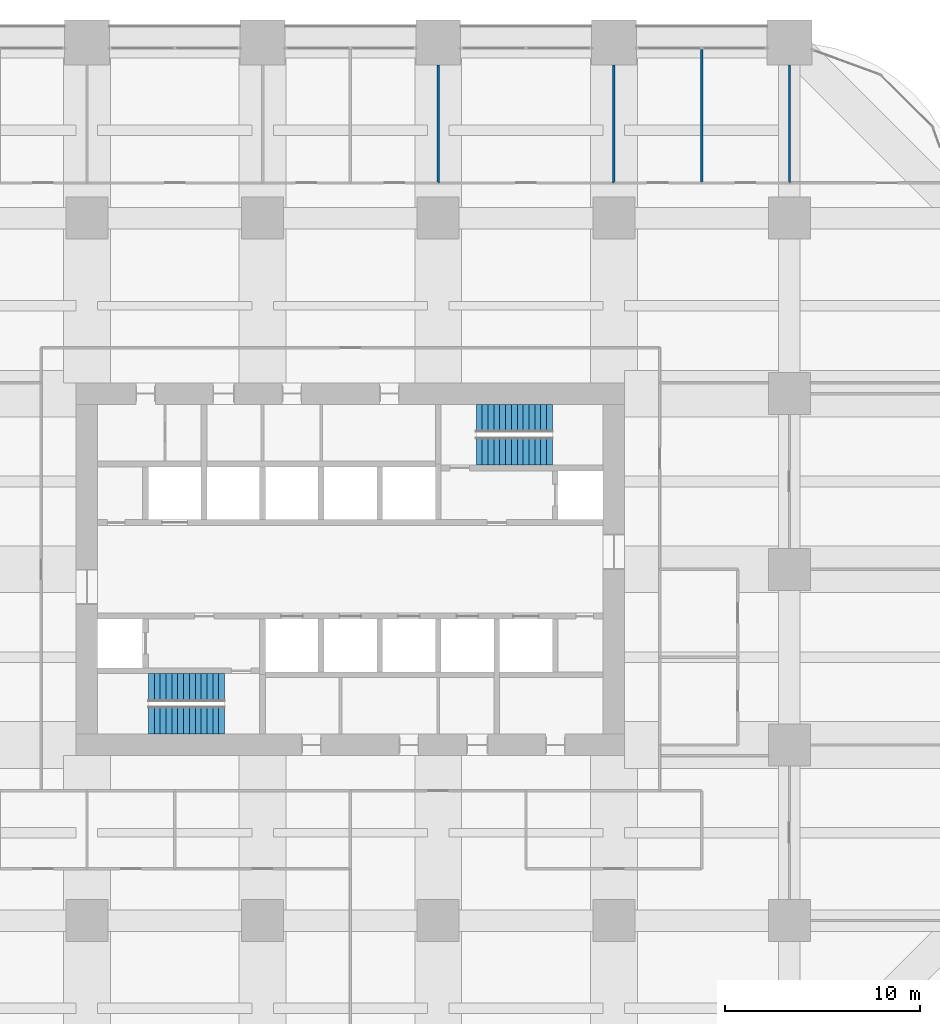
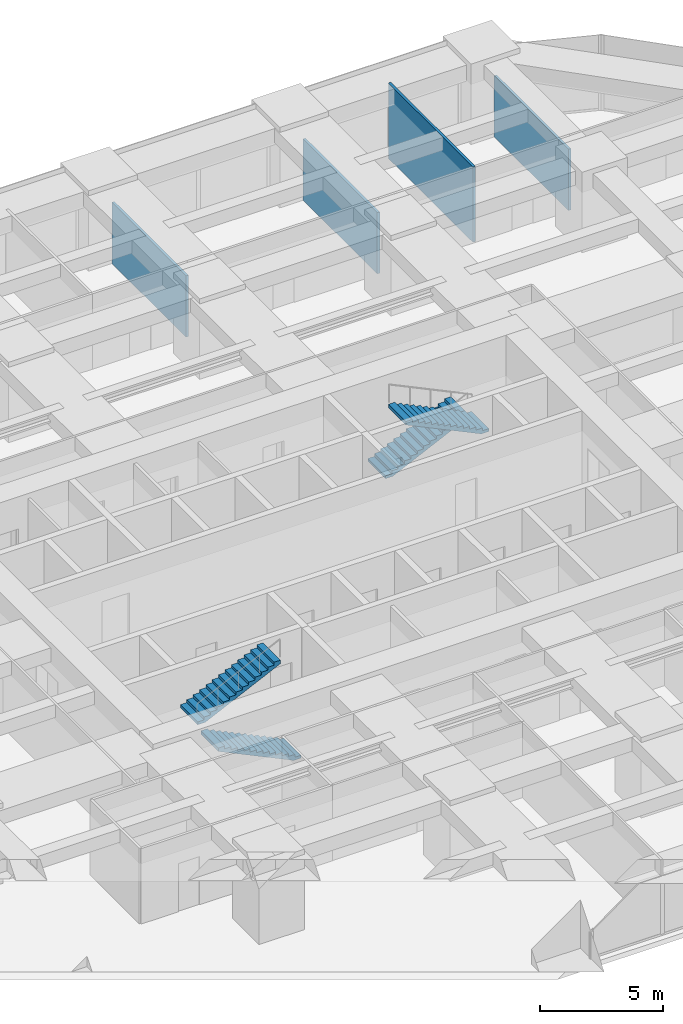
# One storey, part 42 of 43: 4 stair flights, 4 walls, 2 elements without a shape of their own.
"""IFC4 building model written with IfcOpenShell, lengths in metres."""

import ifcopenshell
import ifcopenshell.guid

model = None  # the IFC model being written
_history = None  # IfcOwnerHistory: only IFC2X3 demands one
_inside = {}  # id of a spatial element -> (the spatial element, [elements in it])
_under = {}  # id of a project, library or spatial element -> (it, [spatial elements below it])
_declared = {}  # id of a project -> (the project, [libraries it declares])
_typed = {}  # id of a type object -> (the type object, [elements of that type])
_made_of = {}  # id of a material, layer set ... -> (it, [elements and type objects made of it])


def new_model(schema):
    """Start an empty IFC model of exactly this schema.

    Asked for "IFC4X3", IfcOpenShell would pick the latest addendum, in which some entities
    have other attributes; the version numbers below select the first issue.
    IFC2X3 requires an IfcOwnerHistory on every rooted entity: one is made here for all.
    """
    global model, _history
    if schema == "IFC4X3":
        model = ifcopenshell.file(schema_version=(4, 3, 0, 0))
    else:
        model = ifcopenshell.file(schema=schema)
    _inside.clear()
    _under.clear()
    _declared.clear()
    _typed.clear()
    _made_of.clear()
    _history = None
    if model.schema == "IFC2X3":
        org = make("IfcOrganization", Name="unknown")
        user = make(
            "IfcPersonAndOrganization",
            ThePerson=make("IfcPerson", FamilyName="unknown"),
            TheOrganization=org,
        )
        app = make(
            "IfcApplication",
            ApplicationDeveloper=org,
            Version="unknown",
            ApplicationFullName="unknown",
            ApplicationIdentifier="unknown",
        )
        _history = make(
            "IfcOwnerHistory",
            OwningUser=user,
            OwningApplication=app,
            ChangeAction="ADDED",
            CreationDate=0,
        )
    return model


def make(cls, **values):
    """One entity of the class cls with the attributes given. An attribute that is None is left unset."""
    return model.create_entity(
        cls, **{name: value for name, value in values.items() if value is not None}
    )


def rooted(cls, **values):
    """An entity with a GlobalId (a new one), such as an element, a storey or a relation."""
    return make(cls, GlobalId=ifcopenshell.guid.new(), OwnerHistory=_history, **values)


def si_unit(unit_type, name, prefix=None):
    """IfcSIUnit, for example si_unit("LENGTHUNIT", "METRE", prefix="MILLI")."""
    return make("IfcSIUnit", UnitType=unit_type, Prefix=prefix, Name=name)


def assignment(units):
    """IfcUnitAssignment: the units of a project."""
    return None if units is None else make("IfcUnitAssignment", Units=units)


def point(xyz):
    """IfcCartesianPoint."""
    return None if xyz is None else make("IfcCartesianPoint", Coordinates=xyz)


def direction(xyz):
    """IfcDirection."""
    return None if xyz is None else make("IfcDirection", DirectionRatios=xyz)


def frame(location, z_axis=None, x_axis=None):
    """IfcAxis2Placement3D, a coordinate frame: its origin and axes. An axis left out is left unset."""
    return make(
        "IfcAxis2Placement3D",
        Location=point(location),
        Axis=direction(z_axis),
        RefDirection=direction(x_axis),
    )


def frame_2d(location, x_axis=None):
    """IfcAxis2Placement2D, a coordinate frame in the plane: its origin and x axis."""
    return make(
        "IfcAxis2Placement2D", Location=point(location), RefDirection=direction(x_axis)
    )


def origin():
    """The frame at (0, 0, 0) with its axes left unset."""
    return frame((0.0, 0.0, 0.0))


def place(relative_to, where):
    """IfcLocalPlacement: puts the frame where relative to a parent placement (None: the world)."""
    return make(
        "IfcLocalPlacement", PlacementRelTo=relative_to, RelativePlacement=where
    )


def context(
    kind, dimensions, precision=None, world=None, true_north=None, identifier=None
):
    """IfcGeometricRepresentationContext, for example the 3D "Model" context."""
    return make(
        "IfcGeometricRepresentationContext",
        ContextIdentifier=identifier,
        ContextType=kind,
        CoordinateSpaceDimension=dimensions,
        Precision=precision,
        WorldCoordinateSystem=world,
        TrueNorth=true_north,
    )


def subcontext(parent, identifier, kind, view, scale=None):
    """IfcGeometricRepresentationSubContext, for example "Body" below "Model"."""
    return make(
        "IfcGeometricRepresentationSubContext",
        ContextIdentifier=identifier,
        ContextType=kind,
        ParentContext=parent,
        TargetScale=scale,
        TargetView=view,
    )


def project(units=None, contexts=None):
    """IfcProject with its units and contexts."""
    return rooted(
        "IfcProject",
        Name="project",
        RepresentationContexts=contexts,
        UnitsInContext=assignment(units),
    )


def spatial(cls, under=None, at=None, **own):
    """A site, building, storey or space (cls), placed at a placement, below another one or the project."""
    s = rooted(cls, ObjectPlacement=at, **own)
    if under is not None:
        _under.setdefault(under.id(), (under, []))[1].append(s)
    return s


def polyline(points):
    """IfcPolyline through the points."""
    return make("IfcPolyline", Points=[point(p) for p in points])


def profile(cls, at=None, kind="AREA", **sizes):
    """A parametric profile (cls). Its sizes go by their IFC names, for example OverallWidth=200.0."""
    return make(cls, ProfileType=kind, Position=at, **sizes)


def rectangle(**sizes):
    """IfcRectangleProfileDef."""
    return profile("IfcRectangleProfileDef", **sizes)


def outline(outer, holes=None, kind="AREA"):
    """IfcArbitraryClosedProfileDef: a profile drawn as a closed curve; with holes, ...WithVoids."""
    if holes is None:
        return make("IfcArbitraryClosedProfileDef", ProfileType=kind, OuterCurve=outer)
    return make(
        "IfcArbitraryProfileDefWithVoids",
        ProfileType=kind,
        OuterCurve=outer,
        InnerCurves=holes,
    )


def extrude(swept, where, along, depth):
    """IfcExtrudedAreaSolid: the profile swept, set in the frame where, extruded along a direction by depth."""
    return make(
        "IfcExtrudedAreaSolid",
        SweptArea=swept,
        Position=where,
        ExtrudedDirection=direction(along),
        Depth=depth,
    )


def shape(context_of_items, identifier, shape_type, items):
    """IfcShapeRepresentation: the items that make up one representation, for example the "Body"."""
    return make(
        "IfcShapeRepresentation",
        ContextOfItems=context_of_items,
        RepresentationIdentifier=identifier,
        RepresentationType=shape_type,
        Items=items,
    )


def material(Name=None, Category=None):
    """IfcMaterial."""
    return make("IfcMaterial", Name=Name, Category=Category)


def layer(
    of_material, thickness, ventilated=None, Name=None, Category=None, Priority=None
):
    """IfcMaterialLayer: one layer of a wall or slab, of a material (None: an air gap)."""
    return make(
        "IfcMaterialLayer",
        Material=of_material,
        LayerThickness=thickness,
        IsVentilated=ventilated,
        Name=Name,
        Category=Category,
        Priority=Priority,
    )


def layer_set(layers, Name=None):
    """IfcMaterialLayerSet."""
    return make("IfcMaterialLayerSet", MaterialLayers=layers, LayerSetName=Name)


def made_of(thing, what):
    """Note that an element or type object is made of a material, layer set ...; save() writes the relation."""
    if what is not None:
        _made_of.setdefault(what.id(), (what, []))[1].append(thing)
    return thing


def type_object(cls, material=None, **own):
    """A type object (cls), such as IfcWallType, which elements share."""
    return made_of(rooted(cls, **own), material)


def element(
    cls,
    number,
    at=None,
    inside=None,
    cuts=None,
    type_object=None,
    material=None,
    context=None,
    identifier="Body",
    shape_type=None,
    held_by="IfcProductDefinitionShape",
    body=None,
    shapes=None,
    **own,
):
    """One element of the class cls, such as IfcWall. Its Tag is "e" and its number.

    at: its placement. inside: the storey or other place that contains it. cuts: it is an
    opening in that element (IfcRelVoidsElement). A single representation is given by context,
    identifier, shape_type and body (its items); several are given by shapes. held_by: the class
    of the entity that holds the representations. save() writes the other relations.
    """
    e = rooted(cls, Tag="e%d" % number, ObjectPlacement=at, **own)
    if body is not None:
        shapes = [shape(context, identifier, shape_type, body)]
    if shapes is not None:
        e.Representation = make(held_by, Representations=shapes)
    if inside is not None:
        _inside.setdefault(inside.id(), (inside, []))[1].append(e)
    if cuts is not None:
        rooted(
            "IfcRelVoidsElement", RelatingBuildingElement=cuts, RelatedOpeningElement=e
        )
    if type_object is not None:
        _typed.setdefault(type_object.id(), (type_object, []))[1].append(e)
    return made_of(e, material)


def aggregate(whole, parts):
    """IfcRelAggregates: a whole, such as a stair, and the parts it consists of."""
    return rooted("IfcRelAggregates", RelatingObject=whole, RelatedObjects=parts)


def save(model, path):
    """Write the relations noted so far, then the file.

    IfcRelAggregates (storeys below a building ...), IfcRelContainedInSpatialStructure (elements
    in a storey), IfcRelDefinesByType, IfcRelAssociatesMaterial and IfcRelDeclares: one each for
    every whole, place, type object, material and project.
    """
    for whole, parts in _under.values():
        aggregate(whole, parts)
    for where, things in _inside.values():
        rooted(
            "IfcRelContainedInSpatialStructure",
            RelatedElements=things,
            RelatingStructure=where,
        )
    for kind, things in _typed.values():
        rooted("IfcRelDefinesByType", RelatedObjects=things, RelatingType=kind)
    for what, things in _made_of.values():
        rooted("IfcRelAssociatesMaterial", RelatedObjects=things, RelatingMaterial=what)
    for by, libraries in _declared.values():
        rooted("IfcRelDeclares", RelatingContext=by, RelatedDefinitions=libraries)
    model.write(path)


model = new_model("IFC4")

# Units and contexts
model_context = context("Model", 3, precision=1e-05, world=origin(), true_north=direction((0.0, 1.0)))
body_context = subcontext(model_context, "Body", "Model", "MODEL_VIEW")
ifc_project = project(units=[si_unit("LENGTHUNIT", "METRE"), si_unit("AREAUNIT", "SQUARE_METRE"), si_unit("VOLUMEUNIT", "CUBIC_METRE"), si_unit("PLANEANGLEUNIT", "RADIAN"), si_unit("MASSUNIT", "GRAM", prefix="KILO")], contexts=[model_context])

# Site, building, storey
site_placement = place(None, origin())
site = spatial("IfcSite", under=ifc_project, at=site_placement, CompositionType="ELEMENT")
building_placement = place(site_placement, origin())
building = spatial("IfcBuilding", under=site, at=building_placement, Name="Zorevar Civic Tower", CompositionType="ELEMENT")
storey_placement = place(building_placement, frame((0.0, 0.0, 67.800048828125)))
storey = spatial("IfcBuildingStorey", under=building, at=storey_placement, Name="L16", CompositionType="ELEMENT", Elevation=67.800048828125)

# Walls
ifc_material_1 = material(Name="Gypsum board on steel studs", Category="steel")
ifc_layer = layer(ifc_material_1, 0.1201171875)
ifc_layer_set = layer_set([ifc_layer], Name="Partition 120")
wall_type = type_object("IfcWallType", Name="Partition 120", PredefinedType="PARTITIONING", material=ifc_layer_set)
for number, where, z_axis, x_axis, name in (
    (1, (36.0, 46.800048828125, 0.0), (0.0, 0.0, 1.0), (0.0, 1.0, 0.0), "Partition 120 L16"),
    (2, (45.0, 46.800048828125, 0.0), (0.0, 0.0, 1.0), (0.0, 1.0, 0.0), "Partition 120 L16"),
):
    element("IfcWall", number, at=place(storey_placement, frame(where, z_axis=z_axis, x_axis=x_axis)), inside=storey, type_object=wall_type, Name=name, PredefinedType="PARTITIONING", context=body_context, shape_type="SweptSolid", body=[
        extrude(rectangle(XDim=6.050048828125, YDim=0.1201171875, at=frame_2d((3.02490234375, 0.0))), origin(), (0.0, 0.0, 1.0), 3.050048828125),
    ])
wall_1_placement = place(storey_placement, frame((49.5, 46.800048828125, 0.0), z_axis=(0.0, 0.0, 1.0), x_axis=(0.0, 1.0, 0.0)))
element("IfcWall", 3, at=wall_1_placement, inside=storey, type_object=wall_type, Name="Partition 120 L16", PredefinedType="PARTITIONING", context=body_context, shape_type="SweptSolid", body=[
    extrude(rectangle(XDim=6.889892578125, YDim=0.1201171875, at=frame_2d((3.44482421875, 0.0))), origin(), (0.0, 0.0, 1.0), 3.75),
])
wall_2_placement = place(storey_placement, frame((54.0, 46.800048828125, 0.0), z_axis=(0.0, 0.0, 1.0), x_axis=(0.0, 1.0, 0.0)))
element("IfcWall", 4, at=wall_2_placement, inside=storey, type_object=wall_type, Name="Partition 120 L16", PredefinedType="PARTITIONING", context=body_context, shape_type="SweptSolid", body=[
    extrude(rectangle(XDim=6.050048828125, YDim=0.1201171875, at=frame_2d((3.02490234375, 0.0))), origin(), (0.0, 0.0, 1.0), 3.050048828125),
])

# Stair, stair flights
ifc_material_2 = material(Name="Precast concrete C40/50", Category="concrete")
stair_type = type_object("IfcStairType", Name="Stair ST 28R", PredefinedType="HALF_TURN_STAIR", material=ifc_material_2)
stair_1_placement = place(storey_placement, origin())
stair_1 = element("IfcStair", 5, at=stair_1_placement, inside=storey, type_object=stair_type, Name="Stair ST1 L16", PredefinedType="HALF_TURN_STAIR")
ifc_material_3 = material(Name="Precast concrete C40/50", Category="concrete")
stair_flight_type = type_object("IfcStairFlightType", Name="Stair flight", PredefinedType="STRAIGHT", material=ifc_material_3)
stair_flight_1_placement = place(storey_placement, frame((25.050048828125, 19.262451171875, 0.0), z_axis=(0.0, 0.0, 1.0), x_axis=(-1.0, 0.0, 0.0)))
stair_flight_1 = element("IfcStairFlight", 6, at=stair_flight_1_placement, type_object=stair_flight_type, Name="ST1 flight 1", NumberOfRisers=14, NumberOfTreads=13, PredefinedType="STRAIGHT", RiserHeight=0.142857143, TreadLength=0.3, context=body_context, shape_type="SweptSolid", body=[
    extrude(outline(polyline([(0.0, 0.0), (0.0, 0.142822265625), (0.300048828125, 0.142822265625), (0.300048828125, 0.28564453125), (0.60009765625, 0.28564453125), (0.60009765625, 0.428466796875), (0.89990234375, 0.428466796875), (0.89990234375, 0.571533203125), (1.199951171875, 0.571533203125), (1.199951171875, 0.71435546875), (1.5, 0.71435546875), (1.5, 0.857177734375), (1.800048828125, 0.857177734375), (1.800048828125, 1.0), (2.10009765625, 1.0), (2.10009765625, 1.142822265625), (2.39990234375, 1.142822265625), (2.39990234375, 1.28564453125), (2.699951171875, 1.28564453125), (2.699951171875, 1.428466796875), (3.0, 1.428466796875), (3.0, 1.571533203125), (3.300048828125, 1.571533203125), (3.300048828125, 1.71435546875), (3.60009765625, 1.71435546875), (3.60009765625, 1.857177734375), (3.89990234375, 1.857177734375), (3.89990234375, 2.0), (3.89990234375, 1.691162109375), (0.3486328125, 0.0), (0.0, 0.0)])), frame((0.0, 0.71240234375, 0.0), z_axis=(0.0, -1.0, 0.0), x_axis=(1.0, 0.0, 0.0)), (0.0, 0.0, 1.0), 1.425048828125),
])
stair_flight_2_placement = place(storey_placement, frame((21.14990234375, 20.9375, 2.0), z_axis=(0.0, 0.0, 1.0), x_axis=(1.0, 0.0, 0.0)))
stair_flight_2 = element("IfcStairFlight", 7, at=stair_flight_2_placement, type_object=stair_flight_type, Name="ST1 flight 2", NumberOfRisers=14, NumberOfTreads=13, PredefinedType="STRAIGHT", RiserHeight=0.142857143, TreadLength=0.3, context=body_context, shape_type="SweptSolid", body=[
    extrude(outline(polyline([(0.0, 0.0), (0.0, 0.142822265625), (0.300048828125, 0.142822265625), (0.300048828125, 0.28564453125), (0.60009765625, 0.28564453125), (0.60009765625, 0.428466796875), (0.89990234375, 0.428466796875), (0.89990234375, 0.571533203125), (1.199951171875, 0.571533203125), (1.199951171875, 0.71435546875), (1.5, 0.71435546875), (1.5, 0.857177734375), (1.800048828125, 0.857177734375), (1.800048828125, 1.0), (2.10009765625, 1.0), (2.10009765625, 1.142822265625), (2.39990234375, 1.142822265625), (2.39990234375, 1.28564453125), (2.699951171875, 1.28564453125), (2.699951171875, 1.428466796875), (3.0, 1.428466796875), (3.0, 1.571533203125), (3.300048828125, 1.571533203125), (3.300048828125, 1.71435546875), (3.60009765625, 1.71435546875), (3.60009765625, 1.857177734375), (3.89990234375, 1.857177734375), (3.89990234375, 2.0), (3.89990234375, 1.691162109375), (0.3486328125, 0.0), (0.0, 0.0)])), frame((0.0, 0.71240234375, 0.0), z_axis=(0.0, -1.0, 0.0), x_axis=(1.0, 0.0, 0.0)), (0.0, 0.0, 1.0), 1.425048828125),
])
aggregate(stair_1, [stair_flight_1, stair_flight_2])

stair_2_placement = place(storey_placement, origin())
stair_2 = element("IfcStair", 8, at=stair_2_placement, inside=storey, type_object=stair_type, Name="Stair ST2 L16", PredefinedType="HALF_TURN_STAIR")
stair_flight_3_placement = place(storey_placement, frame((37.949951171875, 34.737548828125, 0.0), z_axis=(0.0, 0.0, 1.0), x_axis=(1.0, 0.0, 0.0)))
stair_flight_3 = element("IfcStairFlight", 9, at=stair_flight_3_placement, type_object=stair_flight_type, Name="ST2 flight 1", NumberOfRisers=14, NumberOfTreads=13, PredefinedType="STRAIGHT", RiserHeight=0.142857143, TreadLength=0.3, context=body_context, shape_type="SweptSolid", body=[
    extrude(outline(polyline([(0.0, 0.0), (0.0, 0.142822265625), (0.300048828125, 0.142822265625), (0.300048828125, 0.28564453125), (0.60009765625, 0.28564453125), (0.60009765625, 0.428466796875), (0.89990234375, 0.428466796875), (0.89990234375, 0.571533203125), (1.199951171875, 0.571533203125), (1.199951171875, 0.71435546875), (1.5, 0.71435546875), (1.5, 0.857177734375), (1.800048828125, 0.857177734375), (1.800048828125, 1.0), (2.10009765625, 1.0), (2.10009765625, 1.142822265625), (2.39990234375, 1.142822265625), (2.39990234375, 1.28564453125), (2.699951171875, 1.28564453125), (2.699951171875, 1.428466796875), (3.0, 1.428466796875), (3.0, 1.571533203125), (3.300048828125, 1.571533203125), (3.300048828125, 1.71435546875), (3.60009765625, 1.71435546875), (3.60009765625, 1.857177734375), (3.89990234375, 1.857177734375), (3.89990234375, 2.0), (3.89990234375, 1.691162109375), (0.3486328125, 0.0), (0.0, 0.0)])), frame((0.0, 0.71240234375, 0.0), z_axis=(0.0, -1.0, 0.0), x_axis=(1.0, 0.0, 0.0)), (0.0, 0.0, 1.0), 1.425048828125),
])
stair_flight_4_placement = place(storey_placement, frame((41.85009765625, 33.0625, 2.0), z_axis=(0.0, 0.0, 1.0), x_axis=(-1.0, 0.0, 0.0)))
stair_flight_4 = element("IfcStairFlight", 10, at=stair_flight_4_placement, type_object=stair_flight_type, Name="ST2 flight 2", NumberOfRisers=14, NumberOfTreads=13, PredefinedType="STRAIGHT", RiserHeight=0.142857143, TreadLength=0.3, context=body_context, shape_type="SweptSolid", body=[
    extrude(outline(polyline([(0.0, 0.0), (0.0, 0.142822265625), (0.300048828125, 0.142822265625), (0.300048828125, 0.28564453125), (0.60009765625, 0.28564453125), (0.60009765625, 0.428466796875), (0.89990234375, 0.428466796875), (0.89990234375, 0.571533203125), (1.199951171875, 0.571533203125), (1.199951171875, 0.71435546875), (1.5, 0.71435546875), (1.5, 0.857177734375), (1.800048828125, 0.857177734375), (1.800048828125, 1.0), (2.10009765625, 1.0), (2.10009765625, 1.142822265625), (2.39990234375, 1.142822265625), (2.39990234375, 1.28564453125), (2.699951171875, 1.28564453125), (2.699951171875, 1.428466796875), (3.0, 1.428466796875), (3.0, 1.571533203125), (3.300048828125, 1.571533203125), (3.300048828125, 1.71435546875), (3.60009765625, 1.71435546875), (3.60009765625, 1.857177734375), (3.89990234375, 1.857177734375), (3.89990234375, 2.0), (3.89990234375, 1.691162109375), (0.3486328125, 0.0), (0.0, 0.0)])), frame((0.0, 0.71240234375, 0.0), z_axis=(0.0, -1.0, 0.0), x_axis=(1.0, 0.0, 0.0)), (0.0, 0.0, 1.0), 1.425048828125),
])
aggregate(stair_2, [stair_flight_3, stair_flight_4])

save(model, "model.ifc")
